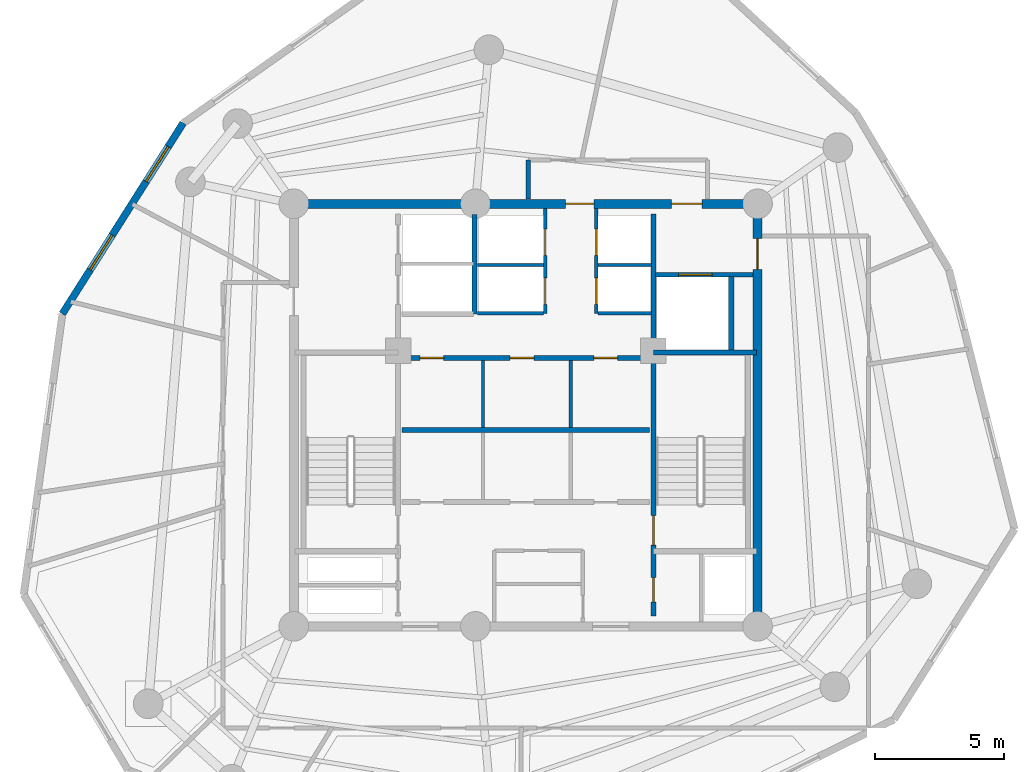
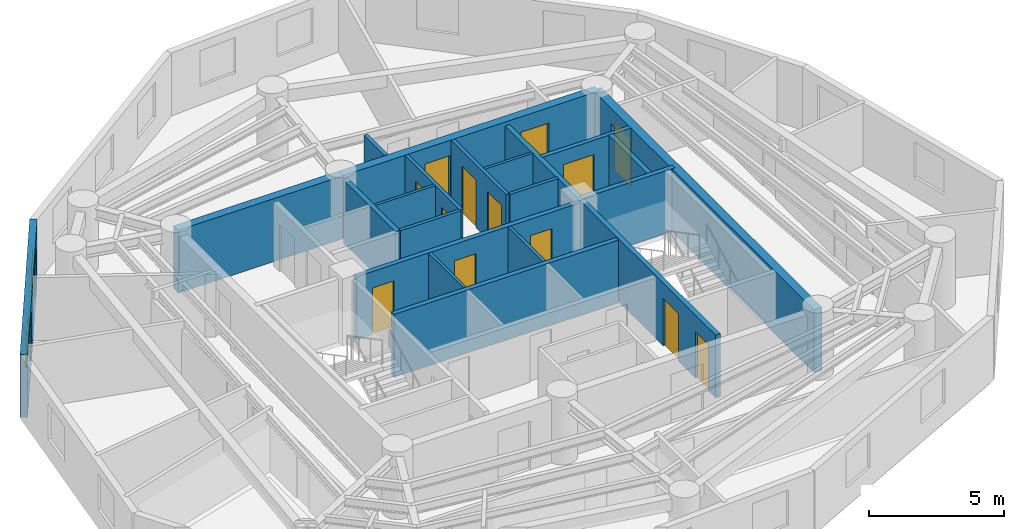
# One storey, part 4 of 6: 20 walls, 13 doors, 2 windows, 15 openings.
"""IFC4 building model written with IfcOpenShell, lengths in metres."""

import ifcopenshell
import ifcopenshell.guid

model = None  # the IFC model being written
_history = None  # IfcOwnerHistory: only IFC2X3 demands one
_inside = {}  # id of a spatial element -> (the spatial element, [elements in it])
_under = {}  # id of a project, library or spatial element -> (it, [spatial elements below it])
_declared = {}  # id of a project -> (the project, [libraries it declares])
_typed = {}  # id of a type object -> (the type object, [elements of that type])
_made_of = {}  # id of a material, layer set ... -> (it, [elements and type objects made of it])


def new_model(schema):
    """Start an empty IFC model of exactly this schema.

    Asked for "IFC4X3", IfcOpenShell would pick the latest addendum, in which some entities
    have other attributes; the version numbers below select the first issue.
    IFC2X3 requires an IfcOwnerHistory on every rooted entity: one is made here for all.
    """
    global model, _history
    if schema == "IFC4X3":
        model = ifcopenshell.file(schema_version=(4, 3, 0, 0))
    else:
        model = ifcopenshell.file(schema=schema)
    _inside.clear()
    _under.clear()
    _declared.clear()
    _typed.clear()
    _made_of.clear()
    _history = None
    if model.schema == "IFC2X3":
        org = make("IfcOrganization", Name="unknown")
        user = make(
            "IfcPersonAndOrganization",
            ThePerson=make("IfcPerson", FamilyName="unknown"),
            TheOrganization=org,
        )
        app = make(
            "IfcApplication",
            ApplicationDeveloper=org,
            Version="unknown",
            ApplicationFullName="unknown",
            ApplicationIdentifier="unknown",
        )
        _history = make(
            "IfcOwnerHistory",
            OwningUser=user,
            OwningApplication=app,
            ChangeAction="ADDED",
            CreationDate=0,
        )
    return model


def make(cls, **values):
    """One entity of the class cls with the attributes given. An attribute that is None is left unset."""
    return model.create_entity(
        cls, **{name: value for name, value in values.items() if value is not None}
    )


def rooted(cls, **values):
    """An entity with a GlobalId (a new one), such as an element, a storey or a relation."""
    return make(cls, GlobalId=ifcopenshell.guid.new(), OwnerHistory=_history, **values)


def si_unit(unit_type, name, prefix=None):
    """IfcSIUnit, for example si_unit("LENGTHUNIT", "METRE", prefix="MILLI")."""
    return make("IfcSIUnit", UnitType=unit_type, Prefix=prefix, Name=name)


def assignment(units):
    """IfcUnitAssignment: the units of a project."""
    return None if units is None else make("IfcUnitAssignment", Units=units)


def point(xyz):
    """IfcCartesianPoint."""
    return None if xyz is None else make("IfcCartesianPoint", Coordinates=xyz)


def direction(xyz):
    """IfcDirection."""
    return None if xyz is None else make("IfcDirection", DirectionRatios=xyz)


def frame(location, z_axis=None, x_axis=None):
    """IfcAxis2Placement3D, a coordinate frame: its origin and axes. An axis left out is left unset."""
    return make(
        "IfcAxis2Placement3D",
        Location=point(location),
        Axis=direction(z_axis),
        RefDirection=direction(x_axis),
    )


def frame_2d(location, x_axis=None):
    """IfcAxis2Placement2D, a coordinate frame in the plane: its origin and x axis."""
    return make(
        "IfcAxis2Placement2D", Location=point(location), RefDirection=direction(x_axis)
    )


def origin():
    """The frame at (0, 0, 0) with its axes left unset."""
    return frame((0.0, 0.0, 0.0))


def origin_with_axes():
    """The frame at (0, 0, 0) with the z axis (0, 0, 1) and the x axis (1, 0, 0) written out."""
    return frame((0.0, 0.0, 0.0), z_axis=(0.0, 0.0, 1.0), x_axis=(1.0, 0.0, 0.0))


def place(relative_to, where):
    """IfcLocalPlacement: puts the frame where relative to a parent placement (None: the world)."""
    return make(
        "IfcLocalPlacement", PlacementRelTo=relative_to, RelativePlacement=where
    )


def context(
    kind, dimensions, precision=None, world=None, true_north=None, identifier=None
):
    """IfcGeometricRepresentationContext, for example the 3D "Model" context."""
    return make(
        "IfcGeometricRepresentationContext",
        ContextIdentifier=identifier,
        ContextType=kind,
        CoordinateSpaceDimension=dimensions,
        Precision=precision,
        WorldCoordinateSystem=world,
        TrueNorth=true_north,
    )


def subcontext(parent, identifier, kind, view, scale=None):
    """IfcGeometricRepresentationSubContext, for example "Body" below "Model"."""
    return make(
        "IfcGeometricRepresentationSubContext",
        ContextIdentifier=identifier,
        ContextType=kind,
        ParentContext=parent,
        TargetScale=scale,
        TargetView=view,
    )


def project(units=None, contexts=None):
    """IfcProject with its units and contexts."""
    return rooted(
        "IfcProject",
        Name="project",
        RepresentationContexts=contexts,
        UnitsInContext=assignment(units),
    )


def spatial(cls, under=None, at=None, **own):
    """A site, building, storey or space (cls), placed at a placement, below another one or the project."""
    s = rooted(cls, ObjectPlacement=at, **own)
    if under is not None:
        _under.setdefault(under.id(), (under, []))[1].append(s)
    return s


def profile(cls, at=None, kind="AREA", **sizes):
    """A parametric profile (cls). Its sizes go by their IFC names, for example OverallWidth=200.0."""
    return make(cls, ProfileType=kind, Position=at, **sizes)


def rectangle(**sizes):
    """IfcRectangleProfileDef."""
    return profile("IfcRectangleProfileDef", **sizes)


def extrude(swept, where, along, depth):
    """IfcExtrudedAreaSolid: the profile swept, set in the frame where, extruded along a direction by depth."""
    return make(
        "IfcExtrudedAreaSolid",
        SweptArea=swept,
        Position=where,
        ExtrudedDirection=direction(along),
        Depth=depth,
    )


def shape(context_of_items, identifier, shape_type, items):
    """IfcShapeRepresentation: the items that make up one representation, for example the "Body"."""
    return make(
        "IfcShapeRepresentation",
        ContextOfItems=context_of_items,
        RepresentationIdentifier=identifier,
        RepresentationType=shape_type,
        Items=items,
    )


def source(mapping_origin, context_of_items, identifier, shape_type, items):
    """IfcRepresentationMap: a shape defined once, which mapped items show again and again."""
    return make(
        "IfcRepresentationMap",
        MappingOrigin=mapping_origin,
        MappedRepresentation=shape(context_of_items, identifier, shape_type, items),
    )


def transform(
    local_origin,
    x_axis=None,
    y_axis=None,
    z_axis=None,
    scale=None,
    scale2=None,
    scale3=None,
    uniform=True,
):
    """IfcCartesianTransformationOperator3D, or its non-uniform kind. x_axis, y_axis, z_axis: its Axis1, 2, 3."""
    if uniform:
        return make(
            "IfcCartesianTransformationOperator3D",
            Axis1=direction(x_axis),
            Axis2=direction(y_axis),
            LocalOrigin=point(local_origin),
            Scale=scale,
            Axis3=direction(z_axis),
        )
    return make(
        "IfcCartesianTransformationOperator3DnonUniform",
        Axis1=direction(x_axis),
        Axis2=direction(y_axis),
        LocalOrigin=point(local_origin),
        Scale=scale,
        Axis3=direction(z_axis),
        Scale2=scale2,
        Scale3=scale3,
    )


def mapped(mapping_source, mapping_target):
    """IfcMappedItem: shows the shape of a source again, moved by a transform."""
    return make(
        "IfcMappedItem", MappingSource=mapping_source, MappingTarget=mapping_target
    )


def material(Name=None, Category=None):
    """IfcMaterial."""
    return make("IfcMaterial", Name=Name, Category=Category)


def layer(
    of_material, thickness, ventilated=None, Name=None, Category=None, Priority=None
):
    """IfcMaterialLayer: one layer of a wall or slab, of a material (None: an air gap)."""
    return make(
        "IfcMaterialLayer",
        Material=of_material,
        LayerThickness=thickness,
        IsVentilated=ventilated,
        Name=Name,
        Category=Category,
        Priority=Priority,
    )


def layer_set(layers, Name=None):
    """IfcMaterialLayerSet."""
    return make("IfcMaterialLayerSet", MaterialLayers=layers, LayerSetName=Name)


def made_of(thing, what):
    """Note that an element or type object is made of a material, layer set ...; save() writes the relation."""
    if what is not None:
        _made_of.setdefault(what.id(), (what, []))[1].append(thing)
    return thing


def type_object(cls, material=None, **own):
    """A type object (cls), such as IfcWallType, which elements share."""
    return made_of(rooted(cls, **own), material)


def element(
    cls,
    number,
    at=None,
    inside=None,
    cuts=None,
    type_object=None,
    material=None,
    context=None,
    identifier="Body",
    shape_type=None,
    held_by="IfcProductDefinitionShape",
    body=None,
    shapes=None,
    **own,
):
    """One element of the class cls, such as IfcWall. Its Tag is "e" and its number.

    at: its placement. inside: the storey or other place that contains it. cuts: it is an
    opening in that element (IfcRelVoidsElement). A single representation is given by context,
    identifier, shape_type and body (its items); several are given by shapes. held_by: the class
    of the entity that holds the representations. save() writes the other relations.
    """
    e = rooted(cls, Tag="e%d" % number, ObjectPlacement=at, **own)
    if body is not None:
        shapes = [shape(context, identifier, shape_type, body)]
    if shapes is not None:
        e.Representation = make(held_by, Representations=shapes)
    if inside is not None:
        _inside.setdefault(inside.id(), (inside, []))[1].append(e)
    if cuts is not None:
        rooted(
            "IfcRelVoidsElement", RelatingBuildingElement=cuts, RelatedOpeningElement=e
        )
    if type_object is not None:
        _typed.setdefault(type_object.id(), (type_object, []))[1].append(e)
    return made_of(e, material)


def fill(opening, filler):
    """IfcRelFillsElement: the door or window that sits in an opening."""
    return rooted(
        "IfcRelFillsElement",
        RelatingOpeningElement=opening,
        RelatedBuildingElement=filler,
    )


def aggregate(whole, parts):
    """IfcRelAggregates: a whole, such as a stair, and the parts it consists of."""
    return rooted("IfcRelAggregates", RelatingObject=whole, RelatedObjects=parts)


def save(model, path):
    """Write the relations noted so far, then the file.

    IfcRelAggregates (storeys below a building ...), IfcRelContainedInSpatialStructure (elements
    in a storey), IfcRelDefinesByType, IfcRelAssociatesMaterial and IfcRelDeclares: one each for
    every whole, place, type object, material and project.
    """
    for whole, parts in _under.values():
        aggregate(whole, parts)
    for where, things in _inside.values():
        rooted(
            "IfcRelContainedInSpatialStructure",
            RelatedElements=things,
            RelatingStructure=where,
        )
    for kind, things in _typed.values():
        rooted("IfcRelDefinesByType", RelatedObjects=things, RelatingType=kind)
    for what, things in _made_of.values():
        rooted("IfcRelAssociatesMaterial", RelatedObjects=things, RelatingMaterial=what)
    for by, libraries in _declared.values():
        rooted("IfcRelDeclares", RelatingContext=by, RelatedDefinitions=libraries)
    model.write(path)


model = new_model("IFC4")

# Units and contexts
model_context = context("Model", 3, precision=1e-05, world=origin(), true_north=direction((0.0, 1.0)))
body_context = subcontext(model_context, "Body", "Model", "MODEL_VIEW")
ifc_project = project(units=[si_unit("LENGTHUNIT", "METRE"), si_unit("AREAUNIT", "SQUARE_METRE"), si_unit("VOLUMEUNIT", "CUBIC_METRE"), si_unit("PLANEANGLEUNIT", "RADIAN"), si_unit("MASSUNIT", "GRAM", prefix="KILO")], contexts=[model_context])

# Site, building, storey
site_placement = place(None, origin())
site = spatial("IfcSite", under=ifc_project, at=site_placement, CompositionType="ELEMENT")
building_placement = place(site_placement, origin())
building = spatial("IfcBuilding", under=site, at=building_placement, Name="Karkom Vertical University and Central Library", CompositionType="ELEMENT")
storey_placement = place(building_placement, frame((0.0, 0.0, 262.64990234375)))
storey = spatial("IfcBuildingStorey", under=building, at=storey_placement, Name="L78", CompositionType="ELEMENT", Elevation=262.64990234375)

# Wall, openings, windows
ifc_material_1 = material(Name="Brick-faced precast concrete C45/55", Category="masonry")
ifc_layer_1 = layer(ifc_material_1, 0.280029296875)
ifc_layer_set_1 = layer_set([ifc_layer_1], Name="Brick-faced precast concrete C45/55")
wall_type_1 = type_object("IfcWallType", Name="ENV-WL-BRK-280", PredefinedType="SOLIDWALL", material=ifc_layer_set_1)
wall_1_placement = place(storey_placement, frame((15.206787109375, 37.835693359375, 0.0), z_axis=(0.0, 0.0, 1.0), x_axis=(-0.535025582322, -0.844835857585, 0.0)))
wall_1 = element("IfcWall", 1, at=wall_1_placement, inside=storey, type_object=wall_type_1, Name="Level 78 Brick-Faced Precast Facade Wall 11", PredefinedType="SOLIDWALL", context=body_context, shape_type="SweptSolid", body=[
    extrude(rectangle(XDim=8.767578125, YDim=0.280029296875, at=frame_2d((4.3837890625, 0.0))), origin(), (0.0, 0.0, 1.0), 2.85009765625),
])
opening_1_placement = place(wall_1_placement, frame((1.087158203125, 0.0, 0.85009765625)))
opening_1 = element("IfcOpeningElement", 2, at=opening_1_placement, cuts=wall_1, Name="Opening WN-10", PredefinedType="OPENING", context=body_context, shape_type="SweptSolid", body=[
    extrude(rectangle(XDim=1.60009765625, YDim=1.60009765625, at=frame_2d((0.800048828125, 0.800048828125))), frame((0.0, 0.14990234375, 0.0), z_axis=(0.0, -1.0, 0.0), x_axis=(1.0, 0.0, 0.0)), (0.0, 0.0, 1.0), 0.300048828125),
])
opening_2_placement = place(wall_1_placement, frame((5.146728515625, 0.0, 0.85009765625)))
opening_2 = element("IfcOpeningElement", 3, at=opening_2_placement, cuts=wall_1, Name="Opening WN-10", PredefinedType="OPENING", context=body_context, shape_type="SweptSolid", body=[
    extrude(rectangle(XDim=1.60009765625, YDim=1.60009765625, at=frame_2d((0.800048828125, 0.800048828125))), frame((0.0, 0.14990234375, 0.0), z_axis=(0.0, -1.0, 0.0), x_axis=(1.0, 0.0, 0.0)), (0.0, 0.0, 1.0), 0.300048828125),
])
ifc_material_2 = material(Name="Aluminium thermal-break frame with solar-control IGU", Category="aluminium")
window_type = type_object("IfcWindowType", Name="ENV-WIN-WN-10", PartitioningType="SINGLE_PANEL", PredefinedType="WINDOW", material=ifc_material_2)
shared_shape_1 = source(origin_with_axes(), body_context, "Body", "SweptSolid", [
    extrude(rectangle(XDim=1.60009765625, YDim=1.60009765625, at=frame_2d((0.800048828125, 0.800048828125))), frame((0.0, 0.030029296875, 0.0), z_axis=(0.0, -1.0, 0.0), x_axis=(1.0, 0.0, 0.0)), (0.0, 0.0, 1.0), 0.06005859375),
])
window_1_placement = place(opening_1_placement, origin())
window_1 = element("IfcWindow", 4, at=window_1_placement, inside=storey, type_object=window_type, Name="Level 78 Punched Window 11.1", OverallHeight=1.60009765625, OverallWidth=1.60009765625, PartitioningType="SINGLE_PANEL", PredefinedType="WINDOW", context=body_context, shape_type="MappedRepresentation", body=[
    mapped(shared_shape_1, transform((0.0, 0.0, 0.0), scale=1.0)),
])
fill(opening_1, window_1)
window_2_placement = place(opening_2_placement, origin())
window_2 = element("IfcWindow", 5, at=window_2_placement, inside=storey, type_object=window_type, Name="Level 78 Punched Window 11.2", OverallHeight=1.60009765625, OverallWidth=1.60009765625, PartitioningType="SINGLE_PANEL", PredefinedType="WINDOW", context=body_context, shape_type="MappedRepresentation", body=[
    mapped(shared_shape_1, transform((0.0, 0.0, 0.0), scale=1.0)),
])
fill(opening_2, window_2)

# Walls
ifc_material_3 = material(Name="Insulated metal-stud drywall 160mm", Category="gypsum")
ifc_layer_2 = layer(ifc_material_3, 0.159912109375)
ifc_layer_set_2 = layer_set([ifc_layer_2], Name="Insulated metal-stud drywall 160mm")
wall_type_2 = type_object("IfcWallType", Name="INT-WL-COR-160", PredefinedType="PARTITIONING", material=ifc_layer_set_2)
wall_2_placement = place(storey_placement, frame((28.60009765625, 34.882080078125, 0.0), z_axis=(0.0, 0.0, 1.0), x_axis=(0.0, 1.0, 0.0)))
element("IfcWall", 6, at=wall_2_placement, inside=storey, type_object=wall_type_2, Name="Level 78 Interior Partition Wall L78-CORW-CW-006", PredefinedType="PARTITIONING", context=body_context, shape_type="SweptSolid", body=[
    extrude(rectangle(XDim=1.517822265625, YDim=0.159912109375, at=frame_2d((0.7587890625, 0.0))), origin(), (0.0, 0.0, 1.0), 2.85009765625),
])
ifc_material_4 = material(Name="Moisture-resistant drywall 120mm", Category="gypsum")
ifc_layer_3 = layer(ifc_material_4, 0.1201171875)
ifc_layer_set_3 = layer_set([ifc_layer_3], Name="Moisture-resistant drywall 120mm")
wall_type_3 = type_object("IfcWallType", Name="INT-WL-INT-120", PredefinedType="PARTITIONING", material=ifc_layer_set_3)
for number, where, z_axis, x_axis, name in (
    (7, (26.85009765625, 26.027099609375, 0.0), (0.0, 0.0, 1.0), (0.0, 1.0, 0.0), "Level 78 Interior Partition Wall L78-CW-B2-K4A"),
    (8, (30.25, 26.027099609375, 0.0), (0.0, 0.0, 1.0), (0.0, 1.0, 0.0), "Level 78 Interior Partition Wall L78-CW-B2-K4B"),
):
    element("IfcWall", number, at=place(storey_placement, frame(where, z_axis=z_axis, x_axis=x_axis)), inside=storey, type_object=wall_type_3, Name=name, PredefinedType="PARTITIONING", context=body_context, shape_type="SweptSolid", body=[
        extrude(rectangle(XDim=2.586669921875, YDim=0.1201171875, at=frame_2d((1.29345703125, 0.0))), origin(), (0.0, 0.0, 1.0), 2.85009765625),
    ])
ifc_layer_4 = layer(ifc_material_4, 0.1201171875)
ifc_layer_set_4 = layer_set([ifc_layer_4], Name="Moisture-resistant drywall 120mm")
wall_type_4 = type_object("IfcWallType", Name="INT-WL-INT-120H", PredefinedType="PARTITIONING", material=ifc_layer_set_4)
wall_3_placement = place(storey_placement, frame((26.6201171875, 32.320068359375, 0.0), z_axis=(0.0, 0.0, 1.0), x_axis=(1.0, 0.0, 0.0)))
element("IfcWall", 9, at=wall_3_placement, inside=storey, type_object=wall_type_4, Name="Level 78 Interior Partition Wall L78-CW-PH-MW", PredefinedType="PARTITIONING", context=body_context, shape_type="SweptSolid", body=[
    extrude(rectangle(XDim=2.579833984375, YDim=0.1201171875, at=frame_2d((1.2900390625, 0.0))), origin(), (0.0, 0.0, 1.0), 2.85009765625),
])
wall_4_placement = place(storey_placement, frame((31.300048828125, 32.320068359375, 0.0), z_axis=(0.0, 0.0, 1.0), x_axis=(1.0, 0.0, 0.0)))
element("IfcWall", 10, at=wall_4_placement, inside=storey, type_object=wall_type_4, Name="Level 78 Interior Partition Wall L78-CW-PH-ME", PredefinedType="PARTITIONING", context=body_context, shape_type="SweptSolid", body=[
    extrude(rectangle(XDim=2.074951171875, YDim=0.1201171875, at=frame_2d((1.03759765625, 0.0))), origin(), (0.0, 0.0, 1.0), 2.85009765625),
])

# Wall, openings, doors
ifc_material_5 = material(Name="Metal-stud gypsum partition 140mm", Category="gypsum")
ifc_layer_5 = layer(ifc_material_5, 0.139892578125)
ifc_layer_set_5 = layer_set([ifc_layer_5], Name="Metal-stud gypsum partition 140mm")
wall_type_5 = type_object("IfcWallType", Name="INT-WL-SUB-140H", PredefinedType="PARTITIONING", material=ifc_layer_set_5)
wall_5_placement = place(storey_placement, frame((29.260009765625, 30.449951171875, 0.0), z_axis=(0.0, 0.0, 1.0), x_axis=(0.0, 1.0, 0.0)))
wall_5 = element("IfcWall", 11, at=wall_5_placement, inside=storey, type_object=wall_type_5, Name="Level 78 Interior Partition Wall L78-CW-PH-W", PredefinedType="PARTITIONING", context=body_context, shape_type="SweptSolid", body=[
    extrude(rectangle(XDim=4.068115234375, YDim=0.139892578125, at=frame_2d((2.0341796875, 0.0))), origin(), (0.0, 0.0, 1.0), 2.85009765625),
])
opening_3_placement = place(wall_5_placement, frame((0.35009765625, 0.0, 0.0)))
opening_3 = element("IfcOpeningElement", 12, at=opening_3_placement, cuts=wall_5, Name="Opening LD-PH", PredefinedType="OPENING", context=body_context, shape_type="SweptSolid", body=[
    extrude(rectangle(XDim=1.02001953125, YDim=2.14990234375, at=frame_2d((0.510009765625, 1.074951171875))), frame((0.0, 0.080078125, 0.0), z_axis=(0.0, -1.0, 0.0), x_axis=(1.0, 0.0, 0.0)), (0.0, 0.0, 1.0), 0.159912109375),
])
opening_4_placement = place(wall_5_placement, frame((2.25, 0.0, 0.0)))
opening_4 = element("IfcOpeningElement", 13, at=opening_4_placement, cuts=wall_5, Name="Opening LD-PH", PredefinedType="OPENING", context=body_context, shape_type="SweptSolid", body=[
    extrude(rectangle(XDim=1.02001953125, YDim=2.14990234375, at=frame_2d((0.510009765625, 1.074951171875))), frame((0.0, 0.080078125, 0.0), z_axis=(0.0, -1.0, 0.0), x_axis=(1.0, 0.0, 0.0)), (0.0, 0.0, 1.0), 0.159912109375),
])
ifc_material_6 = material(Name="Brushed stainless-steel landing door", Category="steel")
door_type_1 = type_object("IfcDoorType", Name="INT-DR-LD-PH", OperationType="SLIDING_TO_LEFT", PredefinedType="DOOR", material=ifc_material_6)
shared_shape_2 = source(origin_with_axes(), body_context, "Body", "SweptSolid", [
    extrude(rectangle(XDim=1.02001953125, YDim=2.14990234375, at=frame_2d((0.510009765625, 1.074951171875))), frame((0.0, 0.02490234375, 0.0), z_axis=(0.0, -1.0, 0.0), x_axis=(1.0, 0.0, 0.0)), (0.0, 0.0, 1.0), 0.050048828125),
])
door_1_placement = place(opening_3_placement, origin())
door_1 = element("IfcDoor", 14, at=door_1_placement, inside=storey, type_object=door_type_1, Name="Level 78 Lift PH-1 Landing Door", OperationType="SLIDING_TO_LEFT", OverallHeight=2.14990234375, OverallWidth=1.02001953125, PredefinedType="DOOR", context=body_context, shape_type="MappedRepresentation", body=[
    mapped(shared_shape_2, transform((0.0, 0.0, 0.0), scale=1.0)),
])
fill(opening_3, door_1)
door_2_placement = place(opening_4_placement, origin())
door_2 = element("IfcDoor", 15, at=door_2_placement, inside=storey, type_object=door_type_1, Name="Level 78 Lift PH-2 Landing Door", OperationType="SLIDING_TO_LEFT", OverallHeight=2.14990234375, OverallWidth=1.02001953125, PredefinedType="DOOR", context=body_context, shape_type="MappedRepresentation", body=[
    mapped(shared_shape_2, transform((0.0, 0.0, 0.0), scale=1.0)),
])
fill(opening_4, door_2)

wall_6_placement = place(storey_placement, frame((31.239990234375, 30.449951171875, 0.0), z_axis=(0.0, 0.0, 1.0), x_axis=(0.0, 1.0, 0.0)))
wall_6 = element("IfcWall", 16, at=wall_6_placement, inside=storey, type_object=wall_type_5, Name="Level 78 Interior Partition Wall L78-CW-PH-E", PredefinedType="PARTITIONING", context=body_context, shape_type="SweptSolid", body=[
    extrude(rectangle(XDim=4.068115234375, YDim=0.139892578125, at=frame_2d((2.0341796875, 0.0))), origin(), (0.0, 0.0, 1.0), 2.85009765625),
])
opening_5_placement = place(wall_6_placement, frame((0.35009765625, 0.0, 0.0)))
opening_5 = element("IfcOpeningElement", 17, at=opening_5_placement, cuts=wall_6, Name="Opening LD-PH", PredefinedType="OPENING", context=body_context, shape_type="SweptSolid", body=[
    extrude(rectangle(XDim=1.02001953125, YDim=2.14990234375, at=frame_2d((0.510009765625, 1.074951171875))), frame((0.0, 0.080078125, 0.0), z_axis=(0.0, -1.0, 0.0), x_axis=(1.0, 0.0, 0.0)), (0.0, 0.0, 1.0), 0.159912109375),
])
opening_6_placement = place(wall_6_placement, frame((2.25, 0.0, 0.0)))
opening_6 = element("IfcOpeningElement", 18, at=opening_6_placement, cuts=wall_6, Name="Opening LD-PH", PredefinedType="OPENING", context=body_context, shape_type="SweptSolid", body=[
    extrude(rectangle(XDim=1.02001953125, YDim=2.14990234375, at=frame_2d((0.510009765625, 1.074951171875))), frame((0.0, 0.080078125, 0.0), z_axis=(0.0, -1.0, 0.0), x_axis=(1.0, 0.0, 0.0)), (0.0, 0.0, 1.0), 0.159912109375),
])
door_3_placement = place(opening_5_placement, origin())
door_3 = element("IfcDoor", 19, at=door_3_placement, inside=storey, type_object=door_type_1, Name="Level 78 Lift PH-3 Landing Door", OperationType="SLIDING_TO_LEFT", OverallHeight=2.14990234375, OverallWidth=1.02001953125, PredefinedType="DOOR", context=body_context, shape_type="MappedRepresentation", body=[
    mapped(shared_shape_2, transform((0.0, 0.0, 0.0), scale=1.0)),
])
fill(opening_5, door_3)
door_4_placement = place(opening_6_placement, origin())
door_4 = element("IfcDoor", 20, at=door_4_placement, inside=storey, type_object=door_type_1, Name="Level 78 Lift PH-4 Landing Door", OperationType="SLIDING_TO_LEFT", OverallHeight=2.14990234375, OverallWidth=1.02001953125, PredefinedType="DOOR", context=body_context, shape_type="MappedRepresentation", body=[
    mapped(shared_shape_2, transform((0.0, 0.0, 0.0), scale=1.0)),
])
fill(opening_6, door_4)

# Walls
wall_7_placement = place(storey_placement, frame((26.6201171875, 30.449951171875, 0.0), z_axis=(0.0, 0.0, 1.0), x_axis=(1.0, 0.0, 0.0)))
element("IfcWall", 21, at=wall_7_placement, inside=storey, type_object=wall_type_5, Name="Level 78 Interior Partition Wall L78-CW-PH-S1", PredefinedType="PARTITIONING", context=body_context, shape_type="SweptSolid", body=[
    extrude(rectangle(XDim=2.579833984375, YDim=0.139892578125, at=frame_2d((1.2900390625, 0.0))), origin(), (0.0, 0.0, 1.0), 2.85009765625),
])
wall_8_placement = place(storey_placement, frame((31.300048828125, 30.449951171875, 0.0), z_axis=(0.0, 0.0, 1.0), x_axis=(1.0, 0.0, 0.0)))
element("IfcWall", 22, at=wall_8_placement, inside=storey, type_object=wall_type_5, Name="Level 78 Interior Partition Wall L78-CW-PH-S2", PredefinedType="PARTITIONING", context=body_context, shape_type="SweptSolid", body=[
    extrude(rectangle(XDim=2.074951171875, YDim=0.139892578125, at=frame_2d((1.03759765625, 0.0))), origin(), (0.0, 0.0, 1.0), 2.85009765625),
])

# Wall, opening, door
ifc_material_7 = material(Name="Twin-stud acoustic drywall 180mm", Category="gypsum")
ifc_layer_6 = layer(ifc_material_7, 0.179931640625)
ifc_layer_set_6 = layer_set([ifc_layer_6], Name="Twin-stud acoustic drywall 180mm")
wall_type_6 = type_object("IfcWallType", Name="INT-WL-TEN-180F", PredefinedType="PARTITIONING", material=ifc_layer_set_6)
wall_9_placement = place(storey_placement, frame((33.534912109375, 31.949951171875, 0.0), z_axis=(0.0, 0.0, 1.0), x_axis=(1.0, 0.0, 0.0)))
wall_9 = element("IfcWall", 23, at=wall_9_placement, inside=storey, type_object=wall_type_6, Name="Level 78 Interior Partition Wall L78-CW-SVL-N", PredefinedType="PARTITIONING", context=body_context, shape_type="SweptSolid", body=[
    extrude(rectangle(XDim=3.783935546875, YDim=0.179931640625, at=frame_2d((1.89208984375, 0.0))), origin(), (0.0, 0.0, 1.0), 2.85009765625),
])
opening_7_placement = place(wall_9_placement, frame((0.89990234375, 0.0, 0.0)))
opening_7 = element("IfcOpeningElement", 24, at=opening_7_placement, cuts=wall_9, Name="Opening LD-SV1", PredefinedType="OPENING", context=body_context, shape_type="SweptSolid", body=[
    extrude(rectangle(XDim=1.300048828125, YDim=2.199951171875, at=frame_2d((0.64990234375, 1.10009765625))), frame((0.0, 0.10009765625, 0.0), z_axis=(0.0, -1.0, 0.0), x_axis=(1.0, 0.0, 0.0)), (0.0, 0.0, 1.0), 0.199951171875),
])
door_type_2 = type_object("IfcDoorType", Name="INT-DR-LD-SV1", OperationType="SLIDING_TO_LEFT", PredefinedType="DOOR", material=ifc_material_6)
shared_shape_3 = source(origin_with_axes(), body_context, "Body", "SweptSolid", [
    extrude(rectangle(XDim=1.300048828125, YDim=2.199951171875, at=frame_2d((0.64990234375, 1.10009765625))), frame((0.0, 0.02490234375, 0.0), z_axis=(0.0, -1.0, 0.0), x_axis=(1.0, 0.0, 0.0)), (0.0, 0.0, 1.0), 0.050048828125),
])
door_5_placement = place(opening_7_placement, origin())
door_5 = element("IfcDoor", 25, at=door_5_placement, inside=storey, type_object=door_type_2, Name="Level 78 Service Lift Landing Door LD-SV1", OperationType="SLIDING_TO_LEFT", OverallHeight=2.199951171875, OverallWidth=1.300048828125, PredefinedType="DOOR", context=body_context, shape_type="MappedRepresentation", body=[
    mapped(shared_shape_3, transform((0.0, 0.0, 0.0), scale=1.0)),
])
fill(opening_7, door_5)

ifc_material_8 = material(Name="Concrete C45/55", Category="concrete")
ifc_layer_7 = layer(ifc_material_8, 0.35009765625)
ifc_layer_set_7 = layer_set([ifc_layer_7], Name="Concrete C45/55")
wall_type_7 = type_object("IfcWallType", Name="STR-WL-CW-350", PredefinedType="SHEAR", material=ifc_layer_set_7)
wall_10_placement = place(storey_placement, frame((37.5, 18.300048828125, 0.0), z_axis=(0.0, 0.0, 1.0), x_axis=(0.0, 1.0, 0.0)))
wall_10 = element("IfcWall", 26, at=wall_10_placement, inside=storey, type_object=wall_type_7, Name="Level 78 Central Core Shear Wall EW", PredefinedType="SHEAR", context=body_context, shape_type="SweptSolid", body=[
    extrude(rectangle(XDim=16.39990234375, YDim=0.35009765625, at=frame_2d((8.199951171875, 0.0))), origin(), (0.0, 0.0, 1.0), 2.85009765625),
])
opening_8_placement = place(wall_10_placement, frame((13.85009765625, 0.0, 0.0)))
opening_8 = element("IfcOpeningElement", 27, at=opening_8_placement, cuts=wall_10, Name="Opening FD-SUB1", PredefinedType="OPENING", context=body_context, shape_type="SweptSolid", body=[
    extrude(rectangle(XDim=1.199951171875, YDim=2.14990234375, at=frame_2d((0.60009765625, 1.074951171875))), frame((0.0, 0.18505859375, 0.0), z_axis=(0.0, -1.0, 0.0), x_axis=(1.0, 0.0, 0.0)), (0.0, 0.0, 1.0), 0.3701171875),
])
ifc_material_9 = material(Name="Painted steel fire door", Category="steel")
door_type_3 = type_object("IfcDoorType", Name="INT-DR-SUB1", OperationType="NOTDEFINED", PredefinedType="DOOR", material=ifc_material_9)
shared_shape_4 = source(origin_with_axes(), body_context, "Body", "SweptSolid", [
    extrude(rectangle(XDim=1.199951171875, YDim=2.14990234375, at=frame_2d((0.60009765625, 1.074951171875))), frame((0.0, 0.02490234375, 0.0), z_axis=(0.0, -1.0, 0.0), x_axis=(1.0, 0.0, 0.0)), (0.0, 0.0, 1.0), 0.050048828125),
])
door_6_placement = place(opening_8_placement, origin())
door_6 = element("IfcDoor", 28, at=door_6_placement, inside=storey, type_object=door_type_3, Name="Level 78 East Corridor Service Lobby Door", OperationType="SINGLE_SWING_RIGHT", OverallHeight=2.14990234375, OverallWidth=1.199951171875, PredefinedType="DOOR", context=body_context, shape_type="MappedRepresentation", body=[
    mapped(shared_shape_4, transform((0.0, 0.0, 0.0), scale=1.0)),
])
fill(opening_8, door_6)

# Wall, openings, doors
wall_11_placement = place(storey_placement, frame((37.5, 34.699951171875, 0.0), z_axis=(0.0, 0.0, 1.0), x_axis=(-1.0, 0.0, 0.0)))
wall_11 = element("IfcWall", 29, at=wall_11_placement, inside=storey, type_object=wall_type_7, Name="Level 78 Central Core Shear Wall NW1", PredefinedType="SHEAR", context=body_context, shape_type="SweptSolid", body=[
    extrude(rectangle(XDim=10.949951171875, YDim=0.35009765625, at=frame_2d((5.47509765625, 0.0))), origin(), (0.0, 0.0, 1.0), 2.85009765625),
])
opening_9_placement = place(wall_11_placement, frame((2.14990234375, 0.0, 0.0)))
opening_9 = element("IfcOpeningElement", 30, at=opening_9_placement, cuts=wall_11, Name="Opening FD-SUB1", PredefinedType="OPENING", context=body_context, shape_type="SweptSolid", body=[
    extrude(rectangle(XDim=1.199951171875, YDim=2.14990234375, at=frame_2d((0.60009765625, 1.074951171875))), frame((0.0, 0.18505859375, 0.0), z_axis=(0.0, -1.0, 0.0), x_axis=(1.0, 0.0, 0.0)), (0.0, 0.0, 1.0), 0.3701171875),
])
opening_10_placement = place(wall_11_placement, frame((6.35009765625, 0.0, 0.0)))
opening_10 = element("IfcOpeningElement", 31, at=opening_10_placement, cuts=wall_11, Name="Opening FD-FFL", PredefinedType="OPENING", context=body_context, shape_type="SweptSolid", body=[
    extrude(rectangle(XDim=1.10009765625, YDim=2.14990234375, at=frame_2d((0.550048828125, 1.074951171875))), frame((0.0, 0.18505859375, 0.0), z_axis=(0.0, -1.0, 0.0), x_axis=(1.0, 0.0, 0.0)), (0.0, 0.0, 1.0), 0.3701171875),
])
ifc_material_10 = material(Name="Painted steel smoke-seal fire door", Category="steel")
door_type_4 = type_object("IfcDoorType", Name="INT-DR-FFL", OperationType="NOTDEFINED", PredefinedType="DOOR", material=ifc_material_10)
shared_shape_5 = source(origin_with_axes(), body_context, "Body", "SweptSolid", [
    extrude(rectangle(XDim=1.10009765625, YDim=2.14990234375, at=frame_2d((0.550048828125, 1.074951171875))), frame((0.0, 0.02490234375, 0.0), z_axis=(0.0, -1.0, 0.0), x_axis=(1.0, 0.0, 0.0)), (0.0, 0.0, 1.0), 0.050048828125),
])
door_7_placement = place(opening_10_placement, origin())
door_7 = element("IfcDoor", 32, at=door_7_placement, inside=storey, type_object=door_type_4, Name="Level 78 North Core Lobby Exit Door", OperationType="SINGLE_SWING_LEFT", OverallHeight=2.14990234375, OverallWidth=1.10009765625, PredefinedType="DOOR", context=body_context, shape_type="MappedRepresentation", body=[
    mapped(shared_shape_5, transform((0.0, 0.0, 0.0), scale=1.0)),
])
fill(opening_10, door_7)
door_8_placement = place(opening_9_placement, origin())
door_8 = element("IfcDoor", 33, at=door_8_placement, inside=storey, type_object=door_type_3, Name="Level 78 Service Lobby Fire Door", OperationType="SINGLE_SWING_LEFT", OverallHeight=2.14990234375, OverallWidth=1.199951171875, PredefinedType="DOOR", context=body_context, shape_type="MappedRepresentation", body=[
    mapped(shared_shape_4, transform((0.0, 0.0, 0.0), scale=1.0)),
])
fill(opening_9, door_8)

# Wall
wall_12_placement = place(storey_placement, frame((26.550048828125, 34.699951171875, 0.0), z_axis=(0.0, 0.0, 1.0), x_axis=(-1.0, 0.0, 0.0)))
element("IfcWall", 34, at=wall_12_placement, inside=storey, type_object=wall_type_7, Name="Level 78 Central Core Shear Wall NW2", PredefinedType="SHEAR", context=body_context, shape_type="SweptSolid", body=[
    extrude(rectangle(XDim=7.050048828125, YDim=0.35009765625, at=frame_2d((3.52490234375, 0.0))), origin(), (0.0, 0.0, 1.0), 2.85009765625),
])

# Wall, openings, doors
ifc_layer_8 = layer(ifc_material_8, 0.199951171875)
ifc_layer_set_8 = layer_set([ifc_layer_8], Name="Concrete C45/55")
wall_type_8 = type_object("IfcWallType", Name="STR-WL-ST-200", PredefinedType="SHEAR", material=ifc_layer_set_8)
wall_13_placement = place(storey_placement, frame((33.455078125, 18.699951171875, 0.0), z_axis=(0.0, 0.0, 1.0), x_axis=(0.0, 1.0, 0.0)))
wall_13 = element("IfcWall", 35, at=wall_13_placement, inside=storey, type_object=wall_type_8, Name="Level 78 Core Shaft Wall L78-CW-ST2-W", PredefinedType="SHEAR", context=body_context, shape_type="SweptSolid", body=[
    extrude(rectangle(XDim=15.60009765625, YDim=0.199951171875, at=frame_2d((7.800048828125, 0.0))), origin(), (0.0, 0.0, 1.0), 2.85009765625),
])
opening_11_placement = place(wall_13_placement, frame((2.75, 0.0, 0.0)))
opening_11 = element("IfcOpeningElement", 36, at=opening_11_placement, cuts=wall_13, Name="Opening FD-ST1", PredefinedType="OPENING", context=body_context, shape_type="SweptSolid", body=[
    extrude(rectangle(XDim=1.14990234375, YDim=2.14990234375, at=frame_2d((0.574951171875, 1.074951171875))), frame((0.0, 0.10986328125, 0.0), z_axis=(0.0, -1.0, 0.0), x_axis=(1.0, 0.0, 0.0)), (0.0, 0.0, 1.0), 0.219970703125),
])
opening_12_placement = place(wall_13_placement, frame((0.550048828125, 0.0, 0.0)))
opening_12 = element("IfcOpeningElement", 37, at=opening_12_placement, cuts=wall_13, Name="Opening D-WC1", PredefinedType="OPENING", context=body_context, shape_type="SweptSolid", body=[
    extrude(rectangle(XDim=0.93994140625, YDim=2.10009765625, at=frame_2d((0.469970703125, 1.050048828125))), frame((0.0, 0.10986328125, 0.0), z_axis=(0.0, -1.0, 0.0), x_axis=(1.0, 0.0, 0.0)), (0.0, 0.0, 1.0), 0.219970703125),
])
ifc_material_11 = material(Name="Painted steel acoustic fire door", Category="steel")
door_type_5 = type_object("IfcDoorType", Name="INT-DR-ST1", OperationType="NOTDEFINED", PredefinedType="DOOR", material=ifc_material_11)
shared_shape_6 = source(origin_with_axes(), body_context, "Body", "SweptSolid", [
    extrude(rectangle(XDim=1.14990234375, YDim=2.14990234375, at=frame_2d((0.574951171875, 1.074951171875))), frame((0.0, 0.02490234375, 0.0), z_axis=(0.0, -1.0, 0.0), x_axis=(1.0, 0.0, 0.0)), (0.0, 0.0, 1.0), 0.050048828125),
])
door_9_placement = place(opening_11_placement, origin())
door_9 = element("IfcDoor", 38, at=door_9_placement, inside=storey, type_object=door_type_5, Name="Level 78 Stair ST-2 Fire Door", OperationType="SINGLE_SWING_RIGHT", OverallHeight=2.14990234375, OverallWidth=1.14990234375, PredefinedType="DOOR", context=body_context, shape_type="MappedRepresentation", body=[
    mapped(shared_shape_6, transform((0.0, 0.0, 0.0), scale=1.0)),
])
fill(opening_11, door_9)
ifc_material_12 = material(Name="Fire-rated laminate moisture-resistant door", Category="wood")
door_type_6 = type_object("IfcDoorType", Name="INT-DR-WC1", OperationType="NOTDEFINED", PredefinedType="DOOR", material=ifc_material_12)
shared_shape_7 = source(origin_with_axes(), body_context, "Body", "SweptSolid", [
    extrude(rectangle(XDim=0.93994140625, YDim=2.10009765625, at=frame_2d((0.469970703125, 1.050048828125))), frame((0.0, 0.02490234375, 0.0), z_axis=(0.0, -1.0, 0.0), x_axis=(1.0, 0.0, 0.0)), (0.0, 0.0, 1.0), 0.050048828125),
])
door_10_placement = place(opening_12_placement, origin())
door_10 = element("IfcDoor", 39, at=door_10_placement, inside=storey, type_object=door_type_6, Name="Level 78 Accessible WC Door", OperationType="SINGLE_SWING_RIGHT", OverallHeight=2.10009765625, OverallWidth=0.93994140625, PredefinedType="DOOR", context=body_context, shape_type="MappedRepresentation", body=[
    mapped(shared_shape_7, transform((0.0, 0.0, 0.0), scale=1.0)),
])
fill(opening_12, door_10)

# Wall
wall_14_placement = place(storey_placement, frame((23.699951171875, 25.919921875, 0.0), z_axis=(0.0, 0.0, 1.0), x_axis=(1.0, 0.0, 0.0)))
element("IfcWall", 40, at=wall_14_placement, inside=storey, type_object=wall_type_8, Name="Level 78 Core Shaft Wall L78-CW-B1-N", PredefinedType="SHEAR", context=body_context, shape_type="SweptSolid", body=[
    extrude(rectangle(XDim=9.60009765625, YDim=0.199951171875, at=frame_2d((4.800048828125, 0.0))), origin(), (0.0, 0.0, 1.0), 2.85009765625),
])

# Wall, openings, doors
wall_15_placement = place(storey_placement, frame((23.699951171875, 28.719970703125, 0.0), z_axis=(0.0, 0.0, 1.0), x_axis=(1.0, 0.0, 0.0)))
wall_15 = element("IfcWall", 41, at=wall_15_placement, inside=storey, type_object=wall_type_8, Name="Level 78 Core Shaft Wall L78-CW-B2-N", PredefinedType="SHEAR", context=body_context, shape_type="SweptSolid", body=[
    extrude(rectangle(XDim=9.60009765625, YDim=0.199951171875, at=frame_2d((4.800048828125, 0.0))), origin(), (0.0, 0.0, 1.0), 2.85009765625),
])
opening_13_placement = place(wall_15_placement, frame((0.699951171875, 0.0, 0.0)))
opening_13 = element("IfcOpeningElement", 42, at=opening_13_placement, cuts=wall_15, Name="Opening D-SVC1", PredefinedType="OPENING", context=body_context, shape_type="SweptSolid", body=[
    extrude(rectangle(XDim=0.919921875, YDim=2.10009765625, at=frame_2d((0.4599609375, 1.050048828125))), frame((0.0, 0.10986328125, 0.0), z_axis=(0.0, -1.0, 0.0), x_axis=(1.0, 0.0, 0.0)), (0.0, 0.0, 1.0), 0.219970703125),
])
opening_14_placement = place(wall_15_placement, frame((4.199951171875, 0.0, 0.0)))
opening_14 = element("IfcOpeningElement", 43, at=opening_14_placement, cuts=wall_15, Name="Opening D-SVC1", PredefinedType="OPENING", context=body_context, shape_type="SweptSolid", body=[
    extrude(rectangle(XDim=0.919921875, YDim=2.10009765625, at=frame_2d((0.4599609375, 1.050048828125))), frame((0.0, 0.10986328125, 0.0), z_axis=(0.0, -1.0, 0.0), x_axis=(1.0, 0.0, 0.0)), (0.0, 0.0, 1.0), 0.219970703125),
])
opening_15_placement = place(wall_15_placement, frame((7.449951171875, 0.0, 0.0)))
opening_15 = element("IfcOpeningElement", 44, at=opening_15_placement, cuts=wall_15, Name="Opening D-SVC1", PredefinedType="OPENING", context=body_context, shape_type="SweptSolid", body=[
    extrude(rectangle(XDim=0.919921875, YDim=2.10009765625, at=frame_2d((0.4599609375, 1.050048828125))), frame((0.0, 0.10986328125, 0.0), z_axis=(0.0, -1.0, 0.0), x_axis=(1.0, 0.0, 0.0)), (0.0, 0.0, 1.0), 0.219970703125),
])
ifc_material_13 = material(Name="Painted timber service door", Category="wood")
door_type_7 = type_object("IfcDoorType", Name="INT-DR-SVC1", OperationType="NOTDEFINED", PredefinedType="DOOR", material=ifc_material_13)
shared_shape_8 = source(origin_with_axes(), body_context, "Body", "SweptSolid", [
    extrude(rectangle(XDim=0.919921875, YDim=2.10009765625, at=frame_2d((0.4599609375, 1.050048828125))), frame((0.0, 0.02490234375, 0.0), z_axis=(0.0, -1.0, 0.0), x_axis=(1.0, 0.0, 0.0)), (0.0, 0.0, 1.0), 0.050048828125),
])
door_11_placement = place(opening_13_placement, origin())
door_11 = element("IfcDoor", 45, at=door_11_placement, inside=storey, type_object=door_type_7, Name="Level 78 B2 Store A Door", OperationType="SINGLE_SWING_RIGHT", OverallHeight=2.10009765625, OverallWidth=0.919921875, PredefinedType="DOOR", context=body_context, shape_type="MappedRepresentation", body=[
    mapped(shared_shape_8, transform((0.0, 0.0, 0.0), scale=1.0)),
])
fill(opening_13, door_11)
door_12_placement = place(opening_14_placement, origin())
door_12 = element("IfcDoor", 46, at=door_12_placement, inside=storey, type_object=door_type_7, Name="Level 78 B2 Comms Door", OperationType="SINGLE_SWING_LEFT", OverallHeight=2.10009765625, OverallWidth=0.919921875, PredefinedType="DOOR", context=body_context, shape_type="MappedRepresentation", body=[
    mapped(shared_shape_8, transform((0.0, 0.0, 0.0), scale=1.0)),
])
fill(opening_14, door_12)
door_13_placement = place(opening_15_placement, origin())
door_13 = element("IfcDoor", 47, at=door_13_placement, inside=storey, type_object=door_type_7, Name="Level 78 B2 Store C Door", OperationType="SINGLE_SWING_RIGHT", OverallHeight=2.10009765625, OverallWidth=0.919921875, PredefinedType="DOOR", context=body_context, shape_type="MappedRepresentation", body=[
    mapped(shared_shape_8, transform((0.0, 0.0, 0.0), scale=1.0)),
])
fill(opening_15, door_13)

# Walls
wall_16_placement = place(storey_placement, frame((33.455078125, 28.925048828125, 0.0), z_axis=(0.0, 0.0, 1.0), x_axis=(1.0, 0.0, 0.0)))
element("IfcWall", 48, at=wall_16_placement, inside=storey, type_object=wall_type_8, Name="Level 78 Core Shaft Wall L78-CW-ST2-N", PredefinedType="SHEAR", context=body_context, shape_type="SweptSolid", body=[
    extrude(rectangle(XDim=3.994873046875, YDim=0.199951171875, at=frame_2d((1.99755859375, 0.0))), origin(), (0.0, 0.0, 1.0), 2.85009765625),
])
wall_17_placement = place(storey_placement, frame((26.52001953125, 30.419921875, 0.0), z_axis=(0.0, 0.0, 1.0), x_axis=(0.0, 1.0, 0.0)))
element("IfcWall", 49, at=wall_17_placement, inside=storey, type_object=wall_type_8, Name="Level 78 Core Shaft Wall L78-CW-FFL-E", PredefinedType="SHEAR", context=body_context, shape_type="SweptSolid", body=[
    extrude(rectangle(XDim=3.860107421875, YDim=0.199951171875, at=frame_2d((1.93017578125, 0.0))), origin(), (0.0, 0.0, 1.0), 2.85009765625),
])
wall_18_placement = place(storey_placement, frame((36.47998046875, 29.02001953125, 0.0), z_axis=(0.0, 0.0, 1.0), x_axis=(0.0, 1.0, 0.0)))
element("IfcWall", 50, at=wall_18_placement, inside=storey, type_object=wall_type_8, Name="Level 78 Core Shaft Wall L78-CW-SVL-E", PredefinedType="SHEAR", context=body_context, shape_type="SweptSolid", body=[
    extrude(rectangle(XDim=2.85986328125, YDim=0.199951171875, at=frame_2d((1.429931640625, 0.0))), origin(), (0.0, 0.0, 1.0), 2.85009765625),
])

save(model, "model.ifc")
